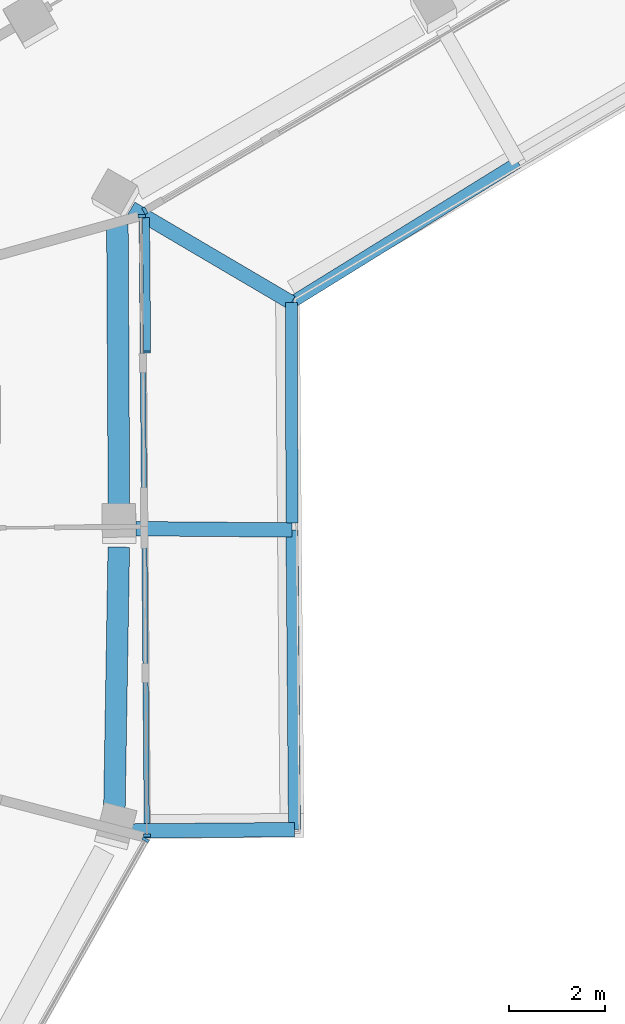
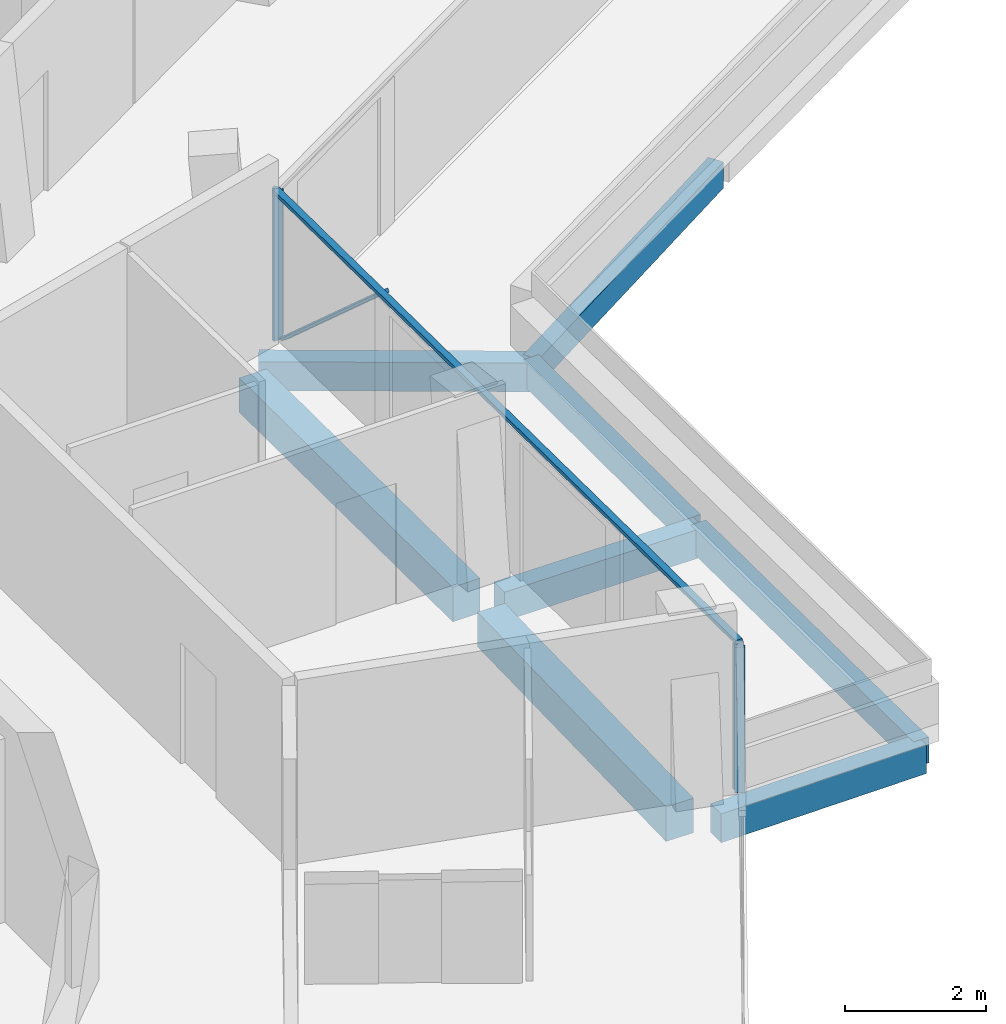
# One storey, part 8 of 26: 8 beams, 6 members, 3 elements without a shape of their own.
"""IFC4 building model written with IfcOpenShell, lengths in metres."""

from ifc_helpers import new_model, si_unit, direction, frame, origin, origin_2d, place, context, subcontext, project, spatial, rectangle, extrude, material, layer, layer_set, material_profile, profile_set, type_object, element, aggregate, save


model = new_model("IFC4")

# Units and contexts
model_context = context("Model", 3, precision=1e-05, world=origin(), true_north=direction((0.0, 1.0)))
body_context = subcontext(model_context, "Body", "Model", "MODEL_VIEW")
ifc_project = project(units=[si_unit("LENGTHUNIT", "METRE"), si_unit("AREAUNIT", "SQUARE_METRE"), si_unit("VOLUMEUNIT", "CUBIC_METRE"), si_unit("PLANEANGLEUNIT", "RADIAN"), si_unit("MASSUNIT", "GRAM", prefix="KILO")], contexts=[model_context])

# Site, building, storey
site_placement = place(None, origin())
site = spatial("IfcSite", under=ifc_project, at=site_placement, CompositionType="ELEMENT")
building_placement = place(site_placement, origin())
building = spatial("IfcBuilding", under=site, at=building_placement, Name="Verdalira Terraces Hotel", CompositionType="ELEMENT")
storey_placement = place(building_placement, frame((0.0, 0.0, 281.0)))
storey = spatial("IfcBuildingStorey", under=building, at=storey_placement, Name="L69", CompositionType="ELEMENT", Elevation=281.0)

# Beams
ifc_material_1 = material(Name="Concrete C40", Category="concrete")
ifc_material_profile_1 = material_profile(ifc_material_1, rectangle(XDim=0.300049, YDim=0.5, at=origin_2d()), Name="RC 300X500")
ifc_profile_set_1 = profile_set([ifc_material_profile_1], Name="Concrete C40")
beam_type_1 = type_object("IfcBeamType", Name="Balcony cantilever beam RC 300X500 C40", PredefinedType="BEAM", material=ifc_profile_set_1)
beam_1_placement = place(storey_placement, frame((23.925049, -6.13623, -0.560059), z_axis=(0.999965014, 0.008364891, 0.0), x_axis=(-0.008364891, 0.999965014, 0.0)))
element("IfcBeam", 1, at=beam_1_placement, inside=storey, type_object=beam_type_1, Name="Balcony cantilever beam R27-1", PredefinedType="BEAM", context=body_context, shape_type="SweptSolid", body=[
    extrude(rectangle(XDim=0.300049, YDim=0.5, at=origin_2d()), origin(), (0.0, 0.0, 1.0), 3.385498),
])
beam_2_placement = place(storey_placement, frame((24.007568, 0.160156, -0.560059), z_axis=(0.999964625, -0.008411268, 0.0), x_axis=(0.008411268, 0.999964625, 0.0)))
element("IfcBeam", 2, at=beam_2_placement, inside=storey, type_object=beam_type_1, Name="Balcony cantilever beam R27-2", PredefinedType="BEAM", context=body_context, shape_type="SweptSolid", body=[
    extrude(rectangle(XDim=0.300049, YDim=0.5, at=origin_2d()), origin(), (0.0, 0.0, 1.0), 3.250732),
])
beam_3_placement = place(storey_placement, frame((23.911865, 6.831787, -0.560059), z_axis=(0.861820671, -0.507213103, 0.0), x_axis=(0.507213103, 0.861820671, 0.0)))
element("IfcBeam", 3, at=beam_3_placement, inside=storey, type_object=beam_type_1, Name="Balcony cantilever beam R27-3", PredefinedType="BEAM", context=body_context, shape_type="SweptSolid", body=[
    extrude(rectangle(XDim=0.300049, YDim=0.5, at=origin_2d()), origin(), (0.0, 0.0, 1.0), 3.869873),
])
ifc_material_2 = material(Name="Concrete C40", Category="concrete")
ifc_material_profile_2 = material_profile(ifc_material_2, rectangle(XDim=0.25, YDim=0.449951, at=origin_2d()), Name="RC 250X450")
ifc_profile_set_2 = profile_set([ifc_material_profile_2], Name="Concrete C40")
beam_type_2 = type_object("IfcBeamType", Name="Balcony edge beam RC 250X450 C40", PredefinedType="BEAM", material=ifc_profile_set_2)
beam_4_placement = place(storey_placement, frame((27.310547, -6.10791, -0.534912), z_axis=(-0.008371509, 0.999964958, 0.0), x_axis=(-0.999964958, -0.008371509, 0.0)))
element("IfcBeam", 4, at=beam_4_placement, inside=storey, type_object=beam_type_2, Name="Balcony edge beam R27-1", PredefinedType="BEAM", context=body_context, shape_type="SweptSolid", body=[
    extrude(rectangle(XDim=0.25, YDim=0.449951, at=origin_2d()), origin(), (0.0, 0.0, 1.0), 6.240967),
])
beam_5_placement = place(storey_placement, frame((27.257812, 0.282959, -0.534912), z_axis=(-0.002342413, 0.999997257, 0.0), x_axis=(-0.999997257, -0.002342413, 0.0)))
element("IfcBeam", 5, at=beam_5_placement, inside=storey, type_object=beam_type_2, Name="Balcony edge beam R27-2", PredefinedType="BEAM", context=body_context, shape_type="SweptSolid", body=[
    extrude(rectangle(XDim=0.25, YDim=0.449951, at=origin_2d()), origin(), (0.0, 0.0, 1.0), 4.585938),
])
beam_6_placement = place(storey_placement, frame((27.24707, 4.868896, -0.534912), z_axis=(0.85020143, 0.526457528, 0.0), x_axis=(-0.526457528, 0.85020143, 0.0)))
element("IfcBeam", 6, at=beam_6_placement, inside=storey, type_object=beam_type_2, Name="Balcony edge beam R27-3", PredefinedType="BEAM", context=body_context, shape_type="SweptSolid", body=[
    extrude(rectangle(XDim=0.25, YDim=0.449951, at=origin_2d()), origin(), (0.0, 0.0, 1.0), 5.553223),
])

# Curtain wall, member
ifc_material_3 = material(Name="Clear glass", Category="glass")
ifc_layer_1 = layer(ifc_material_3, 0.14990234375)
ifc_layer_set_1 = layer_set([ifc_layer_1], Name="CW1 curtain wall")
curtain_wall_type_1 = type_object("IfcCurtainWallType", Name="CW1 curtain wall", PredefinedType="NOTDEFINED", material=ifc_layer_set_1)
curtain_wall_1_placement = place(storey_placement, origin())
curtain_wall_1 = element("IfcCurtainWall", 7, at=curtain_wall_1_placement, inside=storey, type_object=curtain_wall_type_1, Name="CW1 curtain wall L69 edge 26", PredefinedType="NOTDEFINED")
ifc_material_4 = material(Name="Terracotta frame", Category="masonry")
ifc_material_profile_3 = material_profile(ifc_material_4, rectangle(XDim=0.060059, YDim=0.149902, at=origin_2d()), Name="MU 60x150")
ifc_profile_set_3 = profile_set([ifc_material_profile_3], Name="Terracotta frame")
member_type_1 = type_object("IfcMemberType", Name="CW1 mullion 60x150", PredefinedType="MULLION", material=ifc_profile_set_3)
member_1_placement = place(storey_placement, frame((24.212158, -6.320557, 0.0), z_axis=(0.0, 0.0, 1.0), x_axis=(0.492727342, 0.870183755, 0.0)))
member_1 = element("IfcMember", 8, at=member_1_placement, type_object=member_type_1, Name="CW1 mullion", PredefinedType="MULLION", context=body_context, shape_type="SweptSolid", body=[
    extrude(rectangle(XDim=0.060059, YDim=0.149902, at=origin_2d()), origin(), (0.0, 0.0, 1.0), 2.524902),
])
aggregate(curtain_wall_1, [member_1])

# Curtain wall, members
curtain_wall_2_placement = place(storey_placement, origin())
curtain_wall_2 = element("IfcCurtainWall", 9, at=curtain_wall_2_placement, inside=storey, type_object=curtain_wall_type_1, Name="CW1 curtain wall L69 edge 27", PredefinedType="NOTDEFINED")
member_2_placement = place(storey_placement, frame((24.236328, -6.227051, 0.0), z_axis=(0.0, 0.0, 1.0), x_axis=(-0.008377482, 0.999964908, 0.0)))
member_2 = element("IfcMember", 10, at=member_2_placement, type_object=member_type_1, Name="CW1 mullion", PredefinedType="MULLION", context=body_context, shape_type="SweptSolid", body=[
    extrude(rectangle(XDim=0.060059, YDim=0.149902, at=origin_2d()), origin(), (0.0, 0.0, 1.0), 2.524902),
])
member_3_placement = place(storey_placement, frame((24.128174, 6.672363, 0.0), z_axis=(0.0, 0.0, 1.0), x_axis=(-0.008377482, 0.999964908, 0.0)))
member_3 = element("IfcMember", 11, at=member_3_placement, type_object=member_type_1, Name="CW1 mullion", PredefinedType="MULLION", context=body_context, shape_type="SweptSolid", body=[
    extrude(rectangle(XDim=0.060059, YDim=0.149902, at=origin_2d()), origin(), (0.0, 0.0, 1.0), 2.524902),
])
ifc_material_5 = material(Name="Terracotta frame", Category="masonry")
ifc_material_profile_4 = material_profile(ifc_material_5, rectangle(XDim=0.110107, YDim=0.064941, at=origin_2d()), Name="TR 65x110")
ifc_profile_set_4 = profile_set([ifc_material_profile_4], Name="Terracotta frame")
member_type_2 = type_object("IfcMemberType", Name="CW1 transom 65x110", PredefinedType="USERDEFINED", material=ifc_profile_set_4)
member_4_placement = place(storey_placement, frame((24.236572, -6.25708, 2.557617), z_axis=(-0.008382962, 0.999964862, 0.0), x_axis=(-0.999964862, -0.008382962, 0.0)))
member_4 = element("IfcMember", 12, at=member_4_placement, type_object=member_type_2, Name="CW1 transom", ObjectType="TRANSOM", PredefinedType="USERDEFINED", context=body_context, shape_type="SweptSolid", body=[
    extrude(rectangle(XDim=0.110107, YDim=0.064941, at=origin_2d()), origin(), (0.0, 0.0, 1.0), 12.959961),
])

# Curtain wall, member
ifc_material_6 = material(Name="Clear glass", Category="glass")
ifc_layer_2 = layer(ifc_material_6, 0.14990234375)
ifc_layer_set_2 = layer_set([ifc_layer_2], Name="CW2 curtain wall")
curtain_wall_type_2 = type_object("IfcCurtainWallType", Name="CW2 curtain wall", PredefinedType="NOTDEFINED", material=ifc_layer_set_2)
curtain_wall_3_placement = place(storey_placement, origin())
curtain_wall_3 = element("IfcCurtainWall", 13, at=curtain_wall_3_placement, inside=storey, type_object=curtain_wall_type_2, Name="CW2 curtain wall L69 edge 28", PredefinedType="NOTDEFINED")
ifc_material_7 = material(Name="Terracotta frame", Category="masonry")
ifc_material_profile_5 = material_profile(ifc_material_7, rectangle(XDim=0.070068, YDim=0.149902, at=origin_2d()), Name="MU 70x150")
ifc_profile_set_5 = profile_set([ifc_material_profile_5], Name="Terracotta frame")
member_type_3 = type_object("IfcMemberType", Name="CW2 mullion 70x150", PredefinedType="MULLION", material=ifc_profile_set_5)
member_5_placement = place(storey_placement, frame((24.195068, 6.7854, 0.0), z_axis=(0.0, 0.0, 1.0), x_axis=(0.861806272, 0.507237567, 0.0)))
member_5 = element("IfcMember", 14, at=member_5_placement, type_object=member_type_3, Name="CW2 mullion", PredefinedType="MULLION", context=body_context, shape_type="SweptSolid", body=[
    extrude(rectangle(XDim=0.070068, YDim=0.149902, at=origin_2d()), origin(), (0.0, 0.0, 1.0), 2.524902),
])
aggregate(curtain_wall_3, [member_5])

# Member
ifc_material_8 = material(Name="Terracotta frame", Category="masonry")
ifc_material_profile_6 = material_profile(ifc_material_8, rectangle(XDim=0.149902, YDim=0.060059, at=origin_2d()), Name="GB 60x150")
ifc_profile_set_6 = profile_set([ifc_material_profile_6], Name="Terracotta frame")
member_type_4 = type_object("IfcMemberType", Name="Diagonal glazing bar 60x150", PredefinedType="USERDEFINED", material=ifc_profile_set_6)
member_6_placement = place(storey_placement, frame((24.240967, 3.841064, 2.501221), z_axis=(-0.006234069, 0.745988366, -0.665929797), x_axis=(-0.999965084, -0.008356499, 0.0)))
member_6 = element("IfcMember", 15, at=member_6_placement, type_object=member_type_4, Name="Diagonal glazing bar", ObjectType="GLAZING BAR", PredefinedType="USERDEFINED", context=body_context, shape_type="SweptSolid", body=[
    extrude(rectangle(XDim=0.149902, YDim=0.060059, at=origin_2d()), origin(), (0.0, 0.0, 1.0), 3.720459),
])

aggregate(curtain_wall_2, [member_2, member_3, member_4, member_6])

# Beams
ifc_material_9 = material(Name="Concrete C40", Category="concrete")
ifc_material_profile_7 = material_profile(ifc_material_9, rectangle(XDim=0.449951, YDim=0.600098, at=origin_2d()), Name="RC 450X600")
ifc_profile_set_7 = profile_set([ifc_material_profile_7], Name="Concrete C40")
beam_type_3 = type_object("IfcBeamType", Name="Spandrel beam RC 450X600 C40", PredefinedType="SPANDREL", material=ifc_profile_set_7)
beam_7_placement = place(storey_placement, frame((23.559082, -5.746582, -0.610107), z_axis=(0.016751992, 0.999859676, 0.0), x_axis=(-0.999859676, 0.016751992, 0.0)))
element("IfcBeam", 16, at=beam_7_placement, inside=storey, type_object=beam_type_3, Name="Spandrel beam B17", PredefinedType="SPANDREL", context=body_context, shape_type="SweptSolid", body=[
    extrude(rectangle(XDim=0.449951, YDim=0.600098, at=origin_2d()), origin(), (0.0, 0.0, 1.0), 5.523438),
])
beam_8_placement = place(storey_placement, frame((23.655518, 0.483887, -0.610107), z_axis=(-0.005441765, 0.999985193, 0.0), x_axis=(-0.999985193, -0.005441765, 0.0)))
element("IfcBeam", 17, at=beam_8_placement, inside=storey, type_object=beam_type_3, Name="Spandrel beam B18", PredefinedType="SPANDREL", context=body_context, shape_type="SweptSolid", body=[
    extrude(rectangle(XDim=0.449951, YDim=0.600098, at=origin_2d()), origin(), (0.0, 0.0, 1.0), 6.011719),
])

save(model, "model.ifc")
